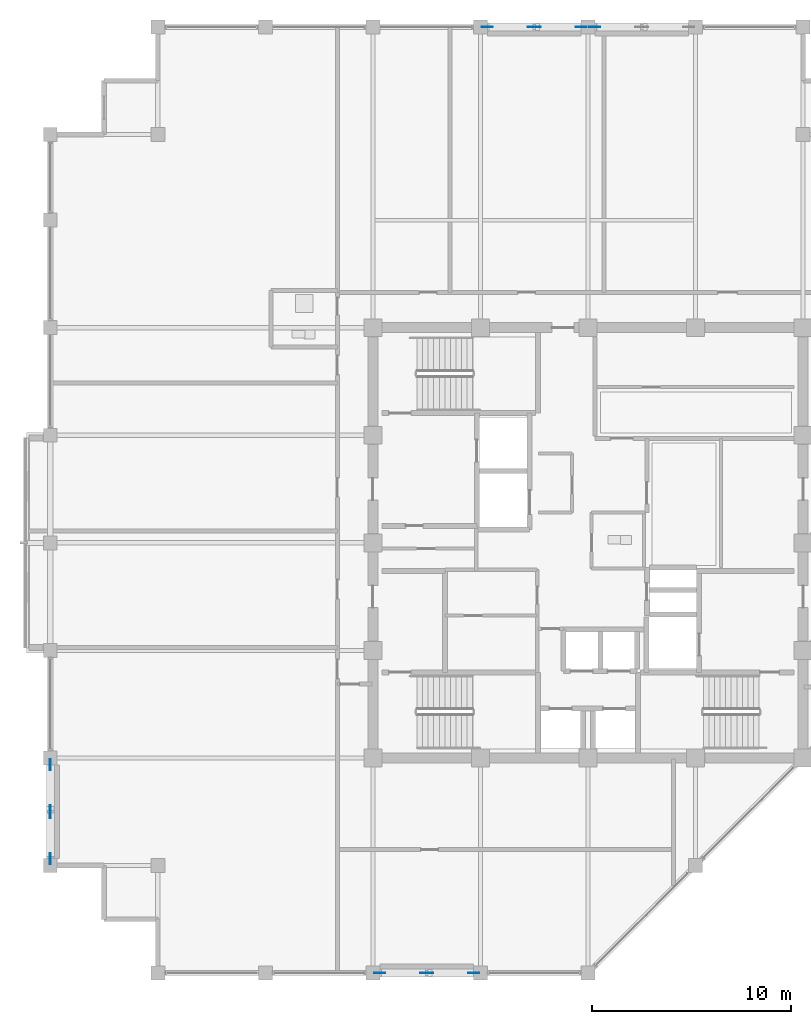
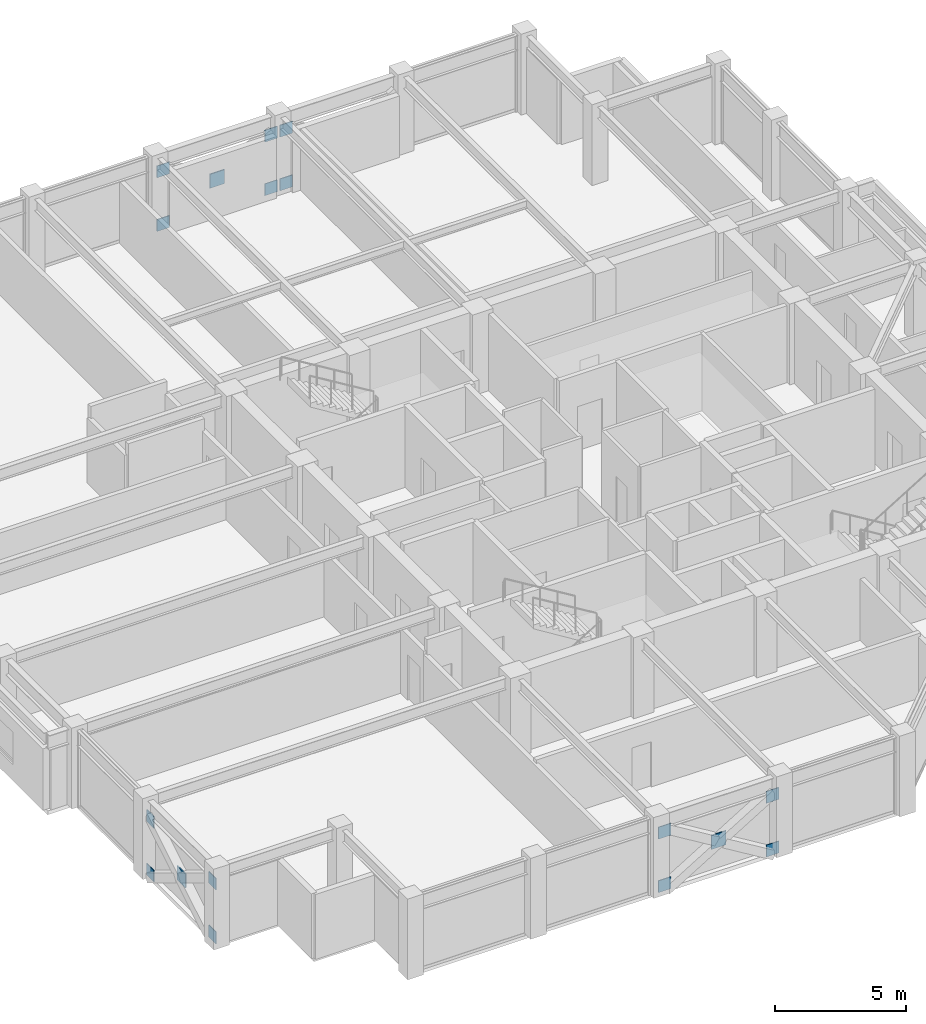
# One storey, part 21 of 29: 17 plates.
"""IFC4 building model written with IfcOpenShell, lengths in metres."""

import ifcopenshell
import ifcopenshell.guid

model = None  # the IFC model being written
_history = None  # IfcOwnerHistory: only IFC2X3 demands one
_inside = {}  # id of a spatial element -> (the spatial element, [elements in it])
_under = {}  # id of a project, library or spatial element -> (it, [spatial elements below it])
_declared = {}  # id of a project -> (the project, [libraries it declares])
_typed = {}  # id of a type object -> (the type object, [elements of that type])
_made_of = {}  # id of a material, layer set ... -> (it, [elements and type objects made of it])


def new_model(schema):
    """Start an empty IFC model of exactly this schema.

    Asked for "IFC4X3", IfcOpenShell would pick the latest addendum, in which some entities
    have other attributes; the version numbers below select the first issue.
    IFC2X3 requires an IfcOwnerHistory on every rooted entity: one is made here for all.
    """
    global model, _history
    if schema == "IFC4X3":
        model = ifcopenshell.file(schema_version=(4, 3, 0, 0))
    else:
        model = ifcopenshell.file(schema=schema)
    _inside.clear()
    _under.clear()
    _declared.clear()
    _typed.clear()
    _made_of.clear()
    _history = None
    if model.schema == "IFC2X3":
        org = make("IfcOrganization", Name="unknown")
        user = make(
            "IfcPersonAndOrganization",
            ThePerson=make("IfcPerson", FamilyName="unknown"),
            TheOrganization=org,
        )
        app = make(
            "IfcApplication",
            ApplicationDeveloper=org,
            Version="unknown",
            ApplicationFullName="unknown",
            ApplicationIdentifier="unknown",
        )
        _history = make(
            "IfcOwnerHistory",
            OwningUser=user,
            OwningApplication=app,
            ChangeAction="ADDED",
            CreationDate=0,
        )
    return model


def make(cls, **values):
    """One entity of the class cls with the attributes given. An attribute that is None is left unset."""
    return model.create_entity(
        cls, **{name: value for name, value in values.items() if value is not None}
    )


def rooted(cls, **values):
    """An entity with a GlobalId (a new one), such as an element, a storey or a relation."""
    return make(cls, GlobalId=ifcopenshell.guid.new(), OwnerHistory=_history, **values)


def si_unit(unit_type, name, prefix=None):
    """IfcSIUnit, for example si_unit("LENGTHUNIT", "METRE", prefix="MILLI")."""
    return make("IfcSIUnit", UnitType=unit_type, Prefix=prefix, Name=name)


def assignment(units):
    """IfcUnitAssignment: the units of a project."""
    return None if units is None else make("IfcUnitAssignment", Units=units)


def point(xyz):
    """IfcCartesianPoint."""
    return None if xyz is None else make("IfcCartesianPoint", Coordinates=xyz)


def direction(xyz):
    """IfcDirection."""
    return None if xyz is None else make("IfcDirection", DirectionRatios=xyz)


def frame(location, z_axis=None, x_axis=None):
    """IfcAxis2Placement3D, a coordinate frame: its origin and axes. An axis left out is left unset."""
    return make(
        "IfcAxis2Placement3D",
        Location=point(location),
        Axis=direction(z_axis),
        RefDirection=direction(x_axis),
    )


def frame_2d(location, x_axis=None):
    """IfcAxis2Placement2D, a coordinate frame in the plane: its origin and x axis."""
    return make(
        "IfcAxis2Placement2D", Location=point(location), RefDirection=direction(x_axis)
    )


def origin():
    """The frame at (0, 0, 0) with its axes left unset."""
    return frame((0.0, 0.0, 0.0))


def origin_2d():
    """The frame at (0, 0) in the plane with its x axis left unset."""
    return frame_2d((0.0, 0.0))


def place(relative_to, where):
    """IfcLocalPlacement: puts the frame where relative to a parent placement (None: the world)."""
    return make(
        "IfcLocalPlacement", PlacementRelTo=relative_to, RelativePlacement=where
    )


def context(
    kind, dimensions, precision=None, world=None, true_north=None, identifier=None
):
    """IfcGeometricRepresentationContext, for example the 3D "Model" context."""
    return make(
        "IfcGeometricRepresentationContext",
        ContextIdentifier=identifier,
        ContextType=kind,
        CoordinateSpaceDimension=dimensions,
        Precision=precision,
        WorldCoordinateSystem=world,
        TrueNorth=true_north,
    )


def subcontext(parent, identifier, kind, view, scale=None):
    """IfcGeometricRepresentationSubContext, for example "Body" below "Model"."""
    return make(
        "IfcGeometricRepresentationSubContext",
        ContextIdentifier=identifier,
        ContextType=kind,
        ParentContext=parent,
        TargetScale=scale,
        TargetView=view,
    )


def project(units=None, contexts=None):
    """IfcProject with its units and contexts."""
    return rooted(
        "IfcProject",
        Name="project",
        RepresentationContexts=contexts,
        UnitsInContext=assignment(units),
    )


def spatial(cls, under=None, at=None, **own):
    """A site, building, storey or space (cls), placed at a placement, below another one or the project."""
    s = rooted(cls, ObjectPlacement=at, **own)
    if under is not None:
        _under.setdefault(under.id(), (under, []))[1].append(s)
    return s


def profile(cls, at=None, kind="AREA", **sizes):
    """A parametric profile (cls). Its sizes go by their IFC names, for example OverallWidth=200.0."""
    return make(cls, ProfileType=kind, Position=at, **sizes)


def rectangle(**sizes):
    """IfcRectangleProfileDef."""
    return profile("IfcRectangleProfileDef", **sizes)


def extrude(swept, where, along, depth):
    """IfcExtrudedAreaSolid: the profile swept, set in the frame where, extruded along a direction by depth."""
    return make(
        "IfcExtrudedAreaSolid",
        SweptArea=swept,
        Position=where,
        ExtrudedDirection=direction(along),
        Depth=depth,
    )


def shape(context_of_items, identifier, shape_type, items):
    """IfcShapeRepresentation: the items that make up one representation, for example the "Body"."""
    return make(
        "IfcShapeRepresentation",
        ContextOfItems=context_of_items,
        RepresentationIdentifier=identifier,
        RepresentationType=shape_type,
        Items=items,
    )


def material(Name=None, Category=None):
    """IfcMaterial."""
    return make("IfcMaterial", Name=Name, Category=Category)


def layer(
    of_material, thickness, ventilated=None, Name=None, Category=None, Priority=None
):
    """IfcMaterialLayer: one layer of a wall or slab, of a material (None: an air gap)."""
    return make(
        "IfcMaterialLayer",
        Material=of_material,
        LayerThickness=thickness,
        IsVentilated=ventilated,
        Name=Name,
        Category=Category,
        Priority=Priority,
    )


def layer_set(layers, Name=None):
    """IfcMaterialLayerSet."""
    return make("IfcMaterialLayerSet", MaterialLayers=layers, LayerSetName=Name)


def made_of(thing, what):
    """Note that an element or type object is made of a material, layer set ...; save() writes the relation."""
    if what is not None:
        _made_of.setdefault(what.id(), (what, []))[1].append(thing)
    return thing


def type_object(cls, material=None, **own):
    """A type object (cls), such as IfcWallType, which elements share."""
    return made_of(rooted(cls, **own), material)


def element(
    cls,
    number,
    at=None,
    inside=None,
    cuts=None,
    type_object=None,
    material=None,
    context=None,
    identifier="Body",
    shape_type=None,
    held_by="IfcProductDefinitionShape",
    body=None,
    shapes=None,
    **own,
):
    """One element of the class cls, such as IfcWall. Its Tag is "e" and its number.

    at: its placement. inside: the storey or other place that contains it. cuts: it is an
    opening in that element (IfcRelVoidsElement). A single representation is given by context,
    identifier, shape_type and body (its items); several are given by shapes. held_by: the class
    of the entity that holds the representations. save() writes the other relations.
    """
    e = rooted(cls, Tag="e%d" % number, ObjectPlacement=at, **own)
    if body is not None:
        shapes = [shape(context, identifier, shape_type, body)]
    if shapes is not None:
        e.Representation = make(held_by, Representations=shapes)
    if inside is not None:
        _inside.setdefault(inside.id(), (inside, []))[1].append(e)
    if cuts is not None:
        rooted(
            "IfcRelVoidsElement", RelatingBuildingElement=cuts, RelatedOpeningElement=e
        )
    if type_object is not None:
        _typed.setdefault(type_object.id(), (type_object, []))[1].append(e)
    return made_of(e, material)


def aggregate(whole, parts):
    """IfcRelAggregates: a whole, such as a stair, and the parts it consists of."""
    return rooted("IfcRelAggregates", RelatingObject=whole, RelatedObjects=parts)


def save(model, path):
    """Write the relations noted so far, then the file.

    IfcRelAggregates (storeys below a building ...), IfcRelContainedInSpatialStructure (elements
    in a storey), IfcRelDefinesByType, IfcRelAssociatesMaterial and IfcRelDeclares: one each for
    every whole, place, type object, material and project.
    """
    for whole, parts in _under.values():
        aggregate(whole, parts)
    for where, things in _inside.values():
        rooted(
            "IfcRelContainedInSpatialStructure",
            RelatedElements=things,
            RelatingStructure=where,
        )
    for kind, things in _typed.values():
        rooted("IfcRelDefinesByType", RelatedObjects=things, RelatingType=kind)
    for what, things in _made_of.values():
        rooted("IfcRelAssociatesMaterial", RelatedObjects=things, RelatingMaterial=what)
    for by, libraries in _declared.values():
        rooted("IfcRelDeclares", RelatingContext=by, RelatedDefinitions=libraries)
    model.write(path)


model = new_model("IFC4")

# Units and contexts
model_context = context("Model", 3, precision=1e-05, world=origin(), true_north=direction((0.0, 1.0)))
body_context = subcontext(model_context, "Body", "Model", "MODEL_VIEW")
ifc_project = project(units=[si_unit("LENGTHUNIT", "METRE"), si_unit("AREAUNIT", "SQUARE_METRE"), si_unit("VOLUMEUNIT", "CUBIC_METRE"), si_unit("PLANEANGLEUNIT", "RADIAN"), si_unit("MASSUNIT", "GRAM", prefix="KILO")], contexts=[model_context])

# Site, building, storey
site_placement = place(None, origin())
site = spatial("IfcSite", under=ifc_project, at=site_placement, CompositionType="ELEMENT")
building_placement = place(site_placement, origin())
building = spatial("IfcBuilding", under=site, at=building_placement, Name="Surkhivell Harbour Commons", CompositionType="ELEMENT")
storey_placement = place(building_placement, frame((0.0, 0.0, 277.5)))
storey = spatial("IfcBuildingStorey", under=building, at=storey_placement, Name="L72", CompositionType="ELEMENT", Elevation=277.5)

# Plates
ifc_material = material(Name="Steel S460", Category="steel")
ifc_layer_1 = layer(ifc_material, 0.035888671875)
ifc_layer_set_1 = layer_set([ifc_layer_1], Name="Steel S460")
plate_type_1 = type_object("IfcPlateType", Name="PLT-GUS-550", PredefinedType="USERDEFINED", material=ifc_layer_set_1)
for number, where, z_axis, x_axis, name in (
    (1, (-5.06494140625, 25.89990234375, -0.07470703125), (0.0, 0.0, 1.0), (1.0, 0.0, 0.0), "L72 Perimeter Mega-Brace MB- Corner Gusset N-1"),
    (2, (-0.3349609375, 25.89990234375, -0.07470703125), (0.0, 0.0, 1.0), (1.0, 0.0, 0.0), "L72 Perimeter Mega-Brace MB- Corner Gusset N-2"),
    (3, (-5.06494140625, 25.89990234375, 2.41357421875), (0.0, 0.0, 1.0), (1.0, 0.0, 0.0), "L72 Perimeter Mega-Brace MB- Corner Gusset N-3"),
    (4, (-0.3349609375, 25.89990234375, 2.41357421875), (0.0, 0.0, 1.0), (1.0, 0.0, 0.0), "L72 Perimeter Mega-Brace MB- Corner Gusset N-4"),
    (5, (0.3349609375, 25.89990234375, -0.07470703125), (0.0, 0.0, 1.0), (1.0, 0.0, 0.0), "L72 Perimeter Mega-Brace MB- Corner Gusset N2-1"),
    (6, (0.3349609375, 25.89990234375, 2.41357421875), (0.0, 0.0, 1.0), (1.0, 0.0, 0.0), "L72 Perimeter Mega-Brace MB- Corner Gusset N2-3"),
    (7, (-10.465087890625, -21.60009765625, -0.07470703125), (0.0, 0.0, 1.0), (1.0, 0.0, 0.0), "L72 Perimeter Mega-Brace MB- Corner Gusset S-1"),
    (8, (-5.735107421875, -21.60009765625, -0.07470703125), (0.0, 0.0, 1.0), (1.0, 0.0, 0.0), "L72 Perimeter Mega-Brace MB- Corner Gusset S-2"),
    (9, (-10.465087890625, -21.60009765625, 2.41357421875), (0.0, 0.0, 1.0), (1.0, 0.0, 0.0), "L72 Perimeter Mega-Brace MB- Corner Gusset S-3"),
    (10, (-5.735107421875, -21.60009765625, 2.41357421875), (0.0, 0.0, 1.0), (1.0, 0.0, 0.0), "L72 Perimeter Mega-Brace MB- Corner Gusset S-4"),
    (11, (-27.0, -15.864990234375, -0.07470703125), (0.0, 0.0, 1.0), (0.0, 1.0, 0.0), "L72 Perimeter Mega-Brace MB- Corner Gusset W-1"),
    (12, (-27.0, -11.135009765625, -0.07470703125), (0.0, 0.0, 1.0), (0.0, 1.0, 0.0), "L72 Perimeter Mega-Brace MB- Corner Gusset W-2"),
    (13, (-27.0, -15.864990234375, 2.41357421875), (0.0, 0.0, 1.0), (0.0, 1.0, 0.0), "L72 Perimeter Mega-Brace MB- Corner Gusset W-3"),
    (14, (-27.0, -11.135009765625, 2.41357421875), (0.0, 0.0, 1.0), (0.0, 1.0, 0.0), "L72 Perimeter Mega-Brace MB- Corner Gusset W-4"),
):
    element("IfcPlate", number, at=place(storey_placement, frame(where, z_axis=z_axis, x_axis=x_axis)), inside=storey, type_object=plate_type_1, Name=name, ObjectType="GUSSET_PLATE", PredefinedType="USERDEFINED", context=body_context, shape_type="SweptSolid", body=[
        extrude(rectangle(XDim=0.550048828125, YDim=0.035888671875, at=origin_2d()), origin(), (0.0, 0.0, 1.0), 0.550048828125),
    ])
ifc_layer_2 = layer(ifc_material, 0.044921875)
ifc_layer_set_2 = layer_set([ifc_layer_2], Name="Steel S460")
plate_type_2 = type_object("IfcPlateType", Name="PLT-GUS-650", PredefinedType="USERDEFINED", material=ifc_layer_set_2)
for number, where, z_axis, x_axis, name in (
    (15, (-2.699951171875, 25.89990234375, 1.11962890625), (0.0, 0.0, 1.0), (1.0, 0.0, 0.0), "L72 Perimeter Mega-Brace MB- Central Crossing Gusset N"),
    (16, (-8.10009765625, -21.60009765625, 1.11962890625), (0.0, 0.0, 1.0), (1.0, 0.0, 0.0), "L72 Perimeter Mega-Brace MB- Central Crossing Gusset S"),
    (17, (-27.0, -13.5, 1.11962890625), (0.0, 0.0, 1.0), (0.0, 1.0, 0.0), "L72 Perimeter Mega-Brace MB- Central Crossing Gusset W"),
):
    element("IfcPlate", number, at=place(storey_placement, frame(where, z_axis=z_axis, x_axis=x_axis)), inside=storey, type_object=plate_type_2, Name=name, ObjectType="GUSSET_PLATE", PredefinedType="USERDEFINED", context=body_context, shape_type="SweptSolid", body=[
        extrude(rectangle(XDim=0.64990234375, YDim=0.044921875, at=origin_2d()), origin(), (0.0, 0.0, 1.0), 0.64990234375),
    ])

save(model, "model.ifc")
